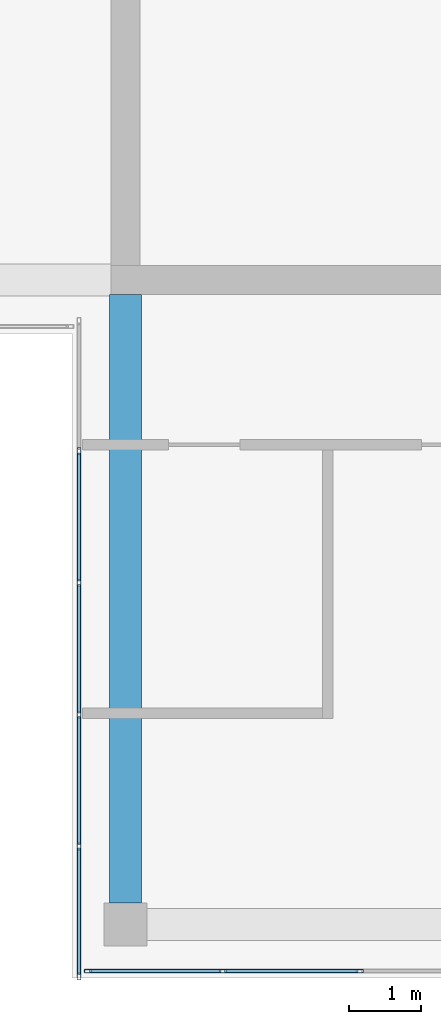
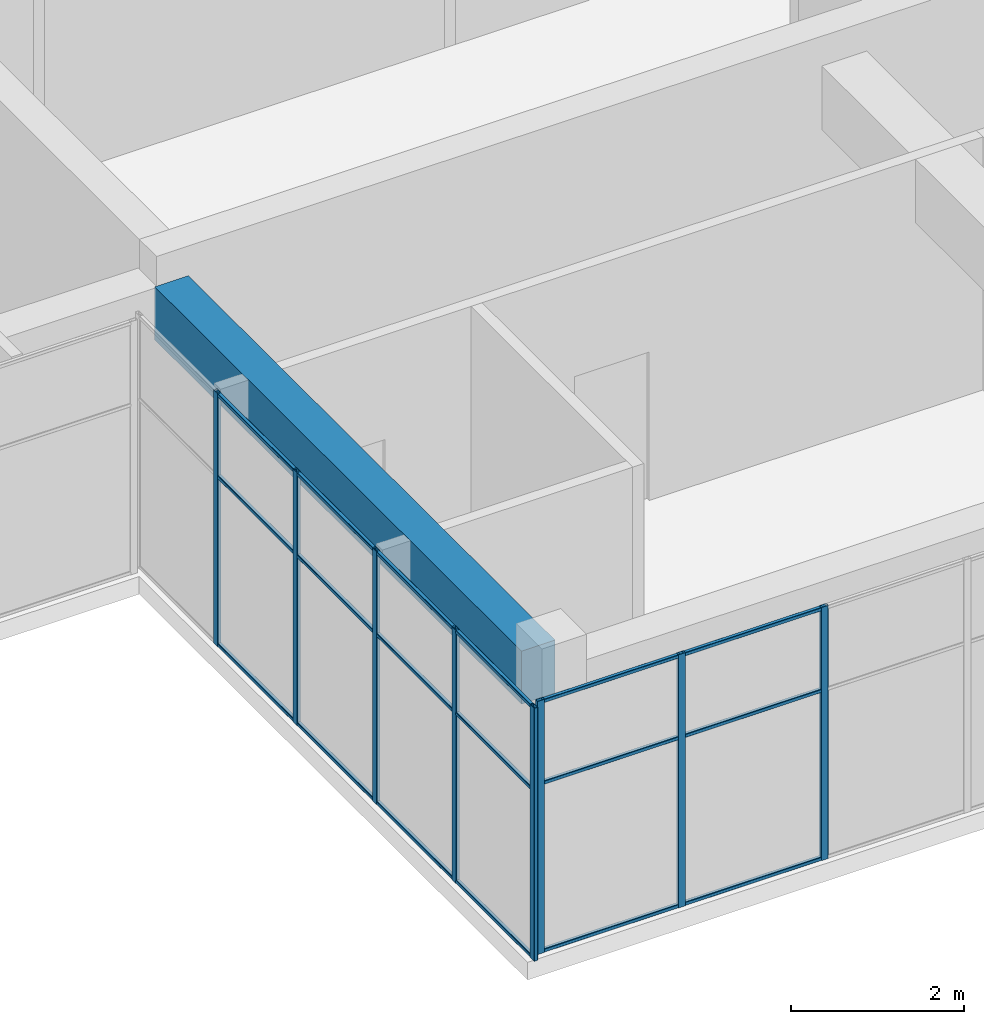
# One storey, part 2 of 35: 26 members, 1 beam, 2 elements without a shape of their own.
"""IFC4 building model written with IfcOpenShell, lengths in metres."""

from ifc_helpers import new_model, si_unit, direction, frame, origin, origin_2d, place, context, subcontext, project, spatial, rectangle, hollow_rectangle, extrude, material, layer, layer_set, material_profile, profile_set, type_object, element, aggregate, save


model = new_model("IFC4")

# Units and contexts
model_context = context("Model", 3, precision=1e-05, world=origin(), true_north=direction((0.0, 1.0)))
body_context = subcontext(model_context, "Body", "Model", "MODEL_VIEW")
ifc_project = project(units=[si_unit("LENGTHUNIT", "METRE"), si_unit("AREAUNIT", "SQUARE_METRE"), si_unit("VOLUMEUNIT", "CUBIC_METRE"), si_unit("PLANEANGLEUNIT", "RADIAN"), si_unit("MASSUNIT", "GRAM", prefix="KILO")], contexts=[model_context])

# Site, building, storey
site_placement = place(None, origin())
site = spatial("IfcSite", under=ifc_project, at=site_placement, CompositionType="ELEMENT")
building_placement = place(site_placement, origin())
building = spatial("IfcBuilding", under=site, at=building_placement, Name="Tuart Plaza Theatre", CompositionType="ELEMENT")
storey_placement = place(building_placement, frame((0.0, 0.0, 49.5)))
storey = spatial("IfcBuildingStorey", under=building, at=storey_placement, Name="L12", CompositionType="ELEMENT", Elevation=49.5)

# Beam
ifc_material_1 = material(Name="Concrete N40 (40 MPa)", Category="concrete")
ifc_material_profile_1 = material_profile(ifc_material_1, rectangle(XDim=0.449951171875, YDim=0.75, at=origin_2d()), Name="BEAM 450x750 Concrete N40 (40 MPa)")
ifc_profile_set_1 = profile_set([ifc_material_profile_1], Name="Concrete N40 (40 MPa)")
beam_type = type_object("IfcBeamType", Name="BEAM 450x750 Concrete N40 (40 MPa)", PredefinedType="BEAM", material=ifc_profile_set_1)
beam_placement = place(storey_placement, frame((123.0, 56.300048828125, 3.205078125), z_axis=(0.0, 1.0, 0.0), x_axis=(-1.0, 0.0, 0.0)))
element("IfcBeam", 1, at=beam_placement, inside=storey, type_object=beam_type, Name="RB296", PredefinedType="BEAM", context=body_context, shape_type="SweptSolid", body=[
    extrude(rectangle(XDim=0.449951171875, YDim=0.75, at=origin_2d()), origin(), (0.0, 0.0, 1.0), 8.5),
])

# Curtain wall, members
ifc_material_2 = material(Name="Aluminium and glass", Category="aluminium")
ifc_layer = layer(ifc_material_2, 0.10009765625)
ifc_layer_set = layer_set([ifc_layer], Name="CURTAIN WALL 2000 module")
curtain_wall_type = type_object("IfcCurtainWallType", Name="CURTAIN WALL 2000 module", PredefinedType="NOTDEFINED", material=ifc_layer_set)
curtain_wall_1_placement = place(storey_placement, origin())
curtain_wall_1 = element("IfcCurtainWall", 2, at=curtain_wall_1_placement, inside=storey, type_object=curtain_wall_type, Name="CW110", PredefinedType="NOTDEFINED")
ifc_material_3 = material(Name="Aluminium 6063-T5", Category="aluminium")
ifc_material_profile_2 = material_profile(ifc_material_3, hollow_rectangle(XDim=0.050048828125, YDim=0.10009765625, WallThickness=0.00390625, InnerFilletRadius=0.00390625, OuterFilletRadius=0.008056640625, at=origin_2d()), Name="RHS 100x50x4")
ifc_profile_set_2 = profile_set([ifc_material_profile_2], Name="Aluminium 6063-T5")
member_type_1 = type_object("IfcMemberType", Name="MULLION RHS 100x50x4", PredefinedType="MULLION", material=ifc_profile_set_2)
member_1_placement = place(storey_placement, frame((122.35009765625, 62.610107421875, 0.0), z_axis=(0.0, 0.0, 1.0), x_axis=(1.0, 0.0, 0.0)))
member_1 = element("IfcMember", 3, at=member_1_placement, type_object=member_type_1, Name="CW110 mullion 2", PredefinedType="MULLION", context=body_context, shape_type="SweptSolid", body=[
    extrude(hollow_rectangle(XDim=0.050048828125, YDim=0.10009765625, WallThickness=0.00390625, InnerFilletRadius=0.00390625, OuterFilletRadius=0.008056640625, at=origin_2d()), origin(), (0.0, 0.0, 1.0), 3.580078125),
])
member_2_placement = place(storey_placement, frame((122.35009765625, 60.77001953125, 0.0), z_axis=(0.0, 0.0, 1.0), x_axis=(1.0, 0.0, 0.0)))
member_2 = element("IfcMember", 4, at=member_2_placement, type_object=member_type_1, Name="CW110 mullion 3", PredefinedType="MULLION", context=body_context, shape_type="SweptSolid", body=[
    extrude(hollow_rectangle(XDim=0.050048828125, YDim=0.10009765625, WallThickness=0.00390625, InnerFilletRadius=0.00390625, OuterFilletRadius=0.008056640625, at=origin_2d()), origin(), (0.0, 0.0, 1.0), 3.580078125),
])
member_3_placement = place(storey_placement, frame((122.35009765625, 58.929931640625, 0.0), z_axis=(0.0, 0.0, 1.0), x_axis=(1.0, 0.0, 0.0)))
member_3 = element("IfcMember", 5, at=member_3_placement, type_object=member_type_1, Name="CW110 mullion 4", PredefinedType="MULLION", context=body_context, shape_type="SweptSolid", body=[
    extrude(hollow_rectangle(XDim=0.050048828125, YDim=0.10009765625, WallThickness=0.00390625, InnerFilletRadius=0.00390625, OuterFilletRadius=0.008056640625, at=origin_2d()), origin(), (0.0, 0.0, 1.0), 3.580078125),
])
member_4_placement = place(storey_placement, frame((122.35009765625, 57.090087890625, 0.0), z_axis=(0.0, 0.0, 1.0), x_axis=(1.0, 0.0, 0.0)))
member_4 = element("IfcMember", 6, at=member_4_placement, type_object=member_type_1, Name="CW110 mullion 5", PredefinedType="MULLION", context=body_context, shape_type="SweptSolid", body=[
    extrude(hollow_rectangle(XDim=0.050048828125, YDim=0.10009765625, WallThickness=0.00390625, InnerFilletRadius=0.00390625, OuterFilletRadius=0.008056640625, at=origin_2d()), origin(), (0.0, 0.0, 1.0), 3.580078125),
])
member_5_placement = place(storey_placement, frame((122.35009765625, 55.27490234375, 0.0), z_axis=(0.0, 0.0, 1.0), x_axis=(1.0, 0.0, 0.0)))
member_5 = element("IfcMember", 7, at=member_5_placement, type_object=member_type_1, Name="CW110 mullion 6", PredefinedType="MULLION", context=body_context, shape_type="SweptSolid", body=[
    extrude(hollow_rectangle(XDim=0.050048828125, YDim=0.10009765625, WallThickness=0.00390625, InnerFilletRadius=0.00390625, OuterFilletRadius=0.008056640625, at=origin_2d()), origin(), (0.0, 0.0, 1.0), 3.580078125),
])

curtain_wall_2_placement = place(storey_placement, origin())
curtain_wall_2 = element("IfcCurtainWall", 8, at=curtain_wall_2_placement, inside=storey, type_object=curtain_wall_type, Name="CW111", PredefinedType="NOTDEFINED")
member_6_placement = place(storey_placement, frame((122.47509765625, 55.35009765625, 0.0), z_axis=(0.0, 0.0, 1.0), x_axis=(0.0, 1.0, 0.0)))
member_6 = element("IfcMember", 9, at=member_6_placement, type_object=member_type_1, Name="CW111 mullion 1", PredefinedType="MULLION", context=body_context, shape_type="SweptSolid", body=[
    extrude(hollow_rectangle(XDim=0.050048828125, YDim=0.10009765625, WallThickness=0.00390625, InnerFilletRadius=0.00390625, OuterFilletRadius=0.008056640625, at=origin_2d()), origin(), (0.0, 0.0, 1.0), 3.580078125),
])
member_7_placement = place(storey_placement, frame((124.360107421875, 55.35009765625, 0.0), z_axis=(0.0, 0.0, 1.0), x_axis=(0.0, 1.0, 0.0)))
member_7 = element("IfcMember", 10, at=member_7_placement, type_object=member_type_1, Name="CW111 mullion 2", PredefinedType="MULLION", context=body_context, shape_type="SweptSolid", body=[
    extrude(hollow_rectangle(XDim=0.050048828125, YDim=0.10009765625, WallThickness=0.00390625, InnerFilletRadius=0.00390625, OuterFilletRadius=0.008056640625, at=origin_2d()), origin(), (0.0, 0.0, 1.0), 3.580078125),
])
member_8_placement = place(storey_placement, frame((126.27001953125, 55.35009765625, 0.0), z_axis=(0.0, 0.0, 1.0), x_axis=(0.0, 1.0, 0.0)))
member_8 = element("IfcMember", 11, at=member_8_placement, type_object=member_type_1, Name="CW111 mullion 3", PredefinedType="MULLION", context=body_context, shape_type="SweptSolid", body=[
    extrude(hollow_rectangle(XDim=0.050048828125, YDim=0.10009765625, WallThickness=0.00390625, InnerFilletRadius=0.00390625, OuterFilletRadius=0.008056640625, at=origin_2d()), origin(), (0.0, 0.0, 1.0), 3.580078125),
])

# Member
ifc_material_4 = material(Name="Aluminium 6063-T5", Category="aluminium")
ifc_material_profile_3 = material_profile(ifc_material_4, hollow_rectangle(XDim=0.050048828125, YDim=0.050048828125, WallThickness=0.00390625, InnerFilletRadius=0.00390625, OuterFilletRadius=0.008056640625, at=origin_2d()), Name="RHS 50x50x4")
ifc_profile_set_3 = profile_set([ifc_material_profile_3], Name="Aluminium 6063-T5")
member_type_2 = type_object("IfcMemberType", Name="TRANSOM RHS 50x50x4", PredefinedType="USERDEFINED", material=ifc_profile_set_3)
member_9_placement = place(storey_placement, frame((122.35009765625, 62.5849609375, 0.02490234375), z_axis=(0.0, -1.0, 0.0), x_axis=(1.0, 0.0, 0.0)))
member_9 = element("IfcMember", 12, at=member_9_placement, type_object=member_type_2, Name="CW110 transom 2.1", ObjectType="TRANSOM", PredefinedType="USERDEFINED", context=body_context, shape_type="SweptSolid", body=[
    extrude(hollow_rectangle(XDim=0.050048828125, YDim=0.050048828125, WallThickness=0.00390625, InnerFilletRadius=0.00390625, OuterFilletRadius=0.008056640625, at=origin_2d()), origin(), (0.0, 0.0, 1.0), 1.7900390625),
])

member_10_placement = place(storey_placement, frame((122.35009765625, 62.5849609375, 2.39990234375), z_axis=(0.0, -1.0, 0.0), x_axis=(1.0, 0.0, 0.0)))
member_10 = element("IfcMember", 13, at=member_10_placement, type_object=member_type_2, Name="CW110 transom 2.2", ObjectType="TRANSOM", PredefinedType="USERDEFINED", context=body_context, shape_type="SweptSolid", body=[
    extrude(hollow_rectangle(XDim=0.050048828125, YDim=0.050048828125, WallThickness=0.00390625, InnerFilletRadius=0.00390625, OuterFilletRadius=0.008056640625, at=origin_2d()), origin(), (0.0, 0.0, 1.0), 1.7900390625),
])

member_11_placement = place(storey_placement, frame((122.35009765625, 62.5849609375, 3.554931640625), z_axis=(0.0, -1.0, 0.0), x_axis=(1.0, 0.0, 0.0)))
member_11 = element("IfcMember", 14, at=member_11_placement, type_object=member_type_2, Name="CW110 transom 2.3", ObjectType="TRANSOM", PredefinedType="USERDEFINED", context=body_context, shape_type="SweptSolid", body=[
    extrude(hollow_rectangle(XDim=0.050048828125, YDim=0.050048828125, WallThickness=0.00390625, InnerFilletRadius=0.00390625, OuterFilletRadius=0.008056640625, at=origin_2d()), origin(), (0.0, 0.0, 1.0), 1.7900390625),
])

member_12_placement = place(storey_placement, frame((122.35009765625, 60.7451171875, 0.02490234375), z_axis=(0.0, -1.0, 0.0), x_axis=(1.0, 0.0, 0.0)))
member_12 = element("IfcMember", 15, at=member_12_placement, type_object=member_type_2, Name="CW110 transom 3.1", ObjectType="TRANSOM", PredefinedType="USERDEFINED", context=body_context, shape_type="SweptSolid", body=[
    extrude(hollow_rectangle(XDim=0.050048828125, YDim=0.050048828125, WallThickness=0.00390625, InnerFilletRadius=0.00390625, OuterFilletRadius=0.008056640625, at=origin_2d()), origin(), (0.0, 0.0, 1.0), 1.7900390625),
])

member_13_placement = place(storey_placement, frame((122.35009765625, 60.7451171875, 2.39990234375), z_axis=(0.0, -1.0, 0.0), x_axis=(1.0, 0.0, 0.0)))
member_13 = element("IfcMember", 16, at=member_13_placement, type_object=member_type_2, Name="CW110 transom 3.2", ObjectType="TRANSOM", PredefinedType="USERDEFINED", context=body_context, shape_type="SweptSolid", body=[
    extrude(hollow_rectangle(XDim=0.050048828125, YDim=0.050048828125, WallThickness=0.00390625, InnerFilletRadius=0.00390625, OuterFilletRadius=0.008056640625, at=origin_2d()), origin(), (0.0, 0.0, 1.0), 1.7900390625),
])

member_14_placement = place(storey_placement, frame((122.35009765625, 60.7451171875, 3.554931640625), z_axis=(0.0, -1.0, 0.0), x_axis=(1.0, 0.0, 0.0)))
member_14 = element("IfcMember", 17, at=member_14_placement, type_object=member_type_2, Name="CW110 transom 3.3", ObjectType="TRANSOM", PredefinedType="USERDEFINED", context=body_context, shape_type="SweptSolid", body=[
    extrude(hollow_rectangle(XDim=0.050048828125, YDim=0.050048828125, WallThickness=0.00390625, InnerFilletRadius=0.00390625, OuterFilletRadius=0.008056640625, at=origin_2d()), origin(), (0.0, 0.0, 1.0), 1.7900390625),
])

member_15_placement = place(storey_placement, frame((122.35009765625, 58.905029296875, 0.02490234375), z_axis=(0.0, -1.0, 0.0), x_axis=(1.0, 0.0, 0.0)))
member_15 = element("IfcMember", 18, at=member_15_placement, type_object=member_type_2, Name="CW110 transom 4.1", ObjectType="TRANSOM", PredefinedType="USERDEFINED", context=body_context, shape_type="SweptSolid", body=[
    extrude(hollow_rectangle(XDim=0.050048828125, YDim=0.050048828125, WallThickness=0.00390625, InnerFilletRadius=0.00390625, OuterFilletRadius=0.008056640625, at=origin_2d()), origin(), (0.0, 0.0, 1.0), 1.7900390625),
])

member_16_placement = place(storey_placement, frame((122.35009765625, 58.905029296875, 2.39990234375), z_axis=(0.0, -1.0, 0.0), x_axis=(1.0, 0.0, 0.0)))
member_16 = element("IfcMember", 19, at=member_16_placement, type_object=member_type_2, Name="CW110 transom 4.2", ObjectType="TRANSOM", PredefinedType="USERDEFINED", context=body_context, shape_type="SweptSolid", body=[
    extrude(hollow_rectangle(XDim=0.050048828125, YDim=0.050048828125, WallThickness=0.00390625, InnerFilletRadius=0.00390625, OuterFilletRadius=0.008056640625, at=origin_2d()), origin(), (0.0, 0.0, 1.0), 1.7900390625),
])

member_17_placement = place(storey_placement, frame((122.35009765625, 58.905029296875, 3.554931640625), z_axis=(0.0, -1.0, 0.0), x_axis=(1.0, 0.0, 0.0)))
member_17 = element("IfcMember", 20, at=member_17_placement, type_object=member_type_2, Name="CW110 transom 4.3", ObjectType="TRANSOM", PredefinedType="USERDEFINED", context=body_context, shape_type="SweptSolid", body=[
    extrude(hollow_rectangle(XDim=0.050048828125, YDim=0.050048828125, WallThickness=0.00390625, InnerFilletRadius=0.00390625, OuterFilletRadius=0.008056640625, at=origin_2d()), origin(), (0.0, 0.0, 1.0), 1.7900390625),
])

member_18_placement = place(storey_placement, frame((122.35009765625, 57.06494140625, 0.02490234375), z_axis=(0.0, -1.0, 0.0), x_axis=(1.0, 0.0, 0.0)))
member_18 = element("IfcMember", 21, at=member_18_placement, type_object=member_type_2, Name="CW110 transom 5.1", ObjectType="TRANSOM", PredefinedType="USERDEFINED", context=body_context, shape_type="SweptSolid", body=[
    extrude(hollow_rectangle(XDim=0.050048828125, YDim=0.050048828125, WallThickness=0.00390625, InnerFilletRadius=0.00390625, OuterFilletRadius=0.008056640625, at=origin_2d()), origin(), (0.0, 0.0, 1.0), 1.764892578125),
])

member_19_placement = place(storey_placement, frame((122.35009765625, 57.06494140625, 2.39990234375), z_axis=(0.0, -1.0, 0.0), x_axis=(1.0, 0.0, 0.0)))
member_19 = element("IfcMember", 22, at=member_19_placement, type_object=member_type_2, Name="CW110 transom 5.2", ObjectType="TRANSOM", PredefinedType="USERDEFINED", context=body_context, shape_type="SweptSolid", body=[
    extrude(hollow_rectangle(XDim=0.050048828125, YDim=0.050048828125, WallThickness=0.00390625, InnerFilletRadius=0.00390625, OuterFilletRadius=0.008056640625, at=origin_2d()), origin(), (0.0, 0.0, 1.0), 1.764892578125),
])

member_20_placement = place(storey_placement, frame((122.35009765625, 57.06494140625, 3.554931640625), z_axis=(0.0, -1.0, 0.0), x_axis=(1.0, 0.0, 0.0)))
member_20 = element("IfcMember", 23, at=member_20_placement, type_object=member_type_2, Name="CW110 transom 5.3", ObjectType="TRANSOM", PredefinedType="USERDEFINED", context=body_context, shape_type="SweptSolid", body=[
    extrude(hollow_rectangle(XDim=0.050048828125, YDim=0.050048828125, WallThickness=0.00390625, InnerFilletRadius=0.00390625, OuterFilletRadius=0.008056640625, at=origin_2d()), origin(), (0.0, 0.0, 1.0), 1.764892578125),
])

aggregate(curtain_wall_1, [member_1, member_2, member_3, member_4, member_5, member_9, member_10, member_11, member_12, member_13, member_14, member_15, member_16, member_17, member_18, member_19, member_20])

member_21_placement = place(storey_placement, frame((122.5, 55.35009765625, 0.02490234375), z_axis=(1.0, 0.0, 0.0), x_axis=(0.0, 1.0, 0.0)))
member_21 = element("IfcMember", 24, at=member_21_placement, type_object=member_type_2, Name="CW111 transom 1.1", ObjectType="TRANSOM", PredefinedType="USERDEFINED", context=body_context, shape_type="SweptSolid", body=[
    extrude(hollow_rectangle(XDim=0.050048828125, YDim=0.050048828125, WallThickness=0.00390625, InnerFilletRadius=0.00390625, OuterFilletRadius=0.008056640625, at=origin_2d()), origin(), (0.0, 0.0, 1.0), 1.8349609375),
])

member_22_placement = place(storey_placement, frame((122.5, 55.35009765625, 2.39990234375), z_axis=(1.0, 0.0, 0.0), x_axis=(0.0, 1.0, 0.0)))
member_22 = element("IfcMember", 25, at=member_22_placement, type_object=member_type_2, Name="CW111 transom 1.2", ObjectType="TRANSOM", PredefinedType="USERDEFINED", context=body_context, shape_type="SweptSolid", body=[
    extrude(hollow_rectangle(XDim=0.050048828125, YDim=0.050048828125, WallThickness=0.00390625, InnerFilletRadius=0.00390625, OuterFilletRadius=0.008056640625, at=origin_2d()), origin(), (0.0, 0.0, 1.0), 1.8349609375),
])

member_23_placement = place(storey_placement, frame((122.5, 55.35009765625, 3.554931640625), z_axis=(1.0, 0.0, 0.0), x_axis=(0.0, 1.0, 0.0)))
member_23 = element("IfcMember", 26, at=member_23_placement, type_object=member_type_2, Name="CW111 transom 1.3", ObjectType="TRANSOM", PredefinedType="USERDEFINED", context=body_context, shape_type="SweptSolid", body=[
    extrude(hollow_rectangle(XDim=0.050048828125, YDim=0.050048828125, WallThickness=0.00390625, InnerFilletRadius=0.00390625, OuterFilletRadius=0.008056640625, at=origin_2d()), origin(), (0.0, 0.0, 1.0), 1.8349609375),
])

member_24_placement = place(storey_placement, frame((124.385009765625, 55.35009765625, 0.02490234375), z_axis=(1.0, 0.0, 0.0), x_axis=(0.0, 1.0, 0.0)))
member_24 = element("IfcMember", 27, at=member_24_placement, type_object=member_type_2, Name="CW111 transom 2.1", ObjectType="TRANSOM", PredefinedType="USERDEFINED", context=body_context, shape_type="SweptSolid", body=[
    extrude(hollow_rectangle(XDim=0.050048828125, YDim=0.050048828125, WallThickness=0.00390625, InnerFilletRadius=0.00390625, OuterFilletRadius=0.008056640625, at=origin_2d()), origin(), (0.0, 0.0, 1.0), 1.860107421875),
])

member_25_placement = place(storey_placement, frame((124.385009765625, 55.35009765625, 2.39990234375), z_axis=(1.0, 0.0, 0.0), x_axis=(0.0, 1.0, 0.0)))
member_25 = element("IfcMember", 28, at=member_25_placement, type_object=member_type_2, Name="CW111 transom 2.2", ObjectType="TRANSOM", PredefinedType="USERDEFINED", context=body_context, shape_type="SweptSolid", body=[
    extrude(hollow_rectangle(XDim=0.050048828125, YDim=0.050048828125, WallThickness=0.00390625, InnerFilletRadius=0.00390625, OuterFilletRadius=0.008056640625, at=origin_2d()), origin(), (0.0, 0.0, 1.0), 1.860107421875),
])

member_26_placement = place(storey_placement, frame((124.385009765625, 55.35009765625, 3.554931640625), z_axis=(1.0, 0.0, 0.0), x_axis=(0.0, 1.0, 0.0)))
member_26 = element("IfcMember", 29, at=member_26_placement, type_object=member_type_2, Name="CW111 transom 2.3", ObjectType="TRANSOM", PredefinedType="USERDEFINED", context=body_context, shape_type="SweptSolid", body=[
    extrude(hollow_rectangle(XDim=0.050048828125, YDim=0.050048828125, WallThickness=0.00390625, InnerFilletRadius=0.00390625, OuterFilletRadius=0.008056640625, at=origin_2d()), origin(), (0.0, 0.0, 1.0), 1.860107421875),
])

aggregate(curtain_wall_2, [member_6, member_7, member_8, member_21, member_22, member_23, member_24, member_25, member_26])

save(model, "model.ifc")
